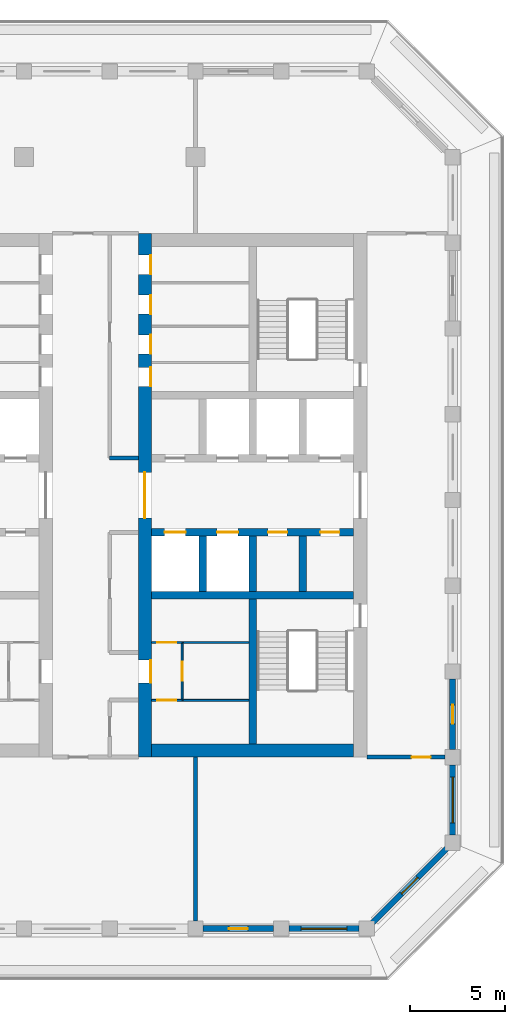
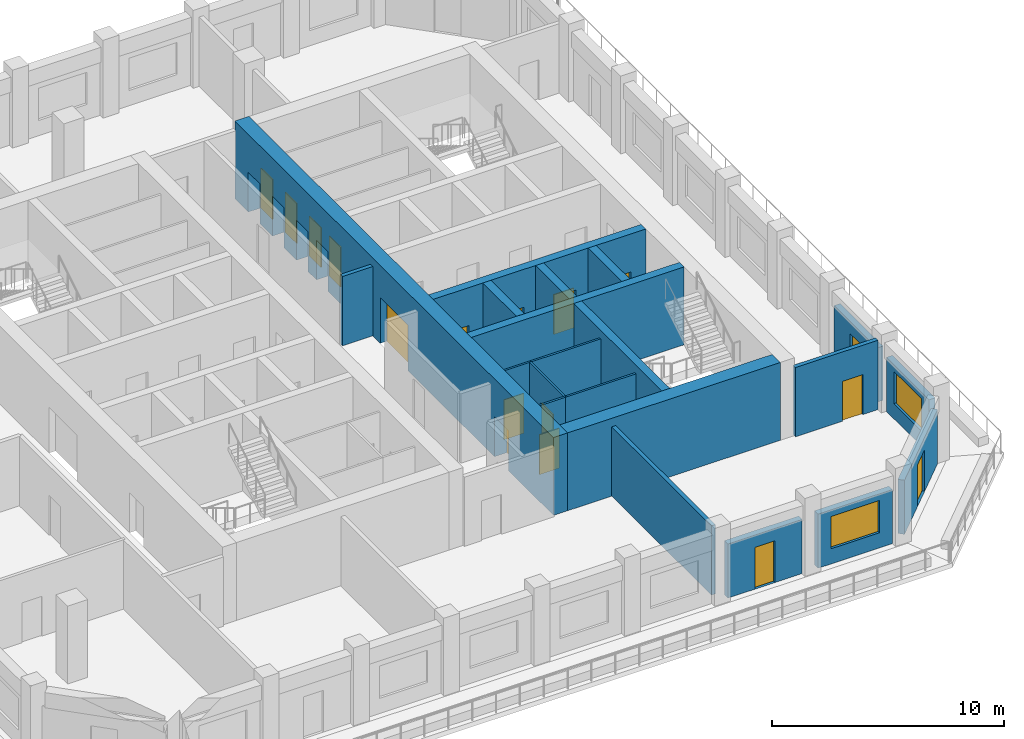
# One storey, part 4 of 14: 21 walls, 17 doors, 2 windows, 19 openings.
"""IFC4 building model written with IfcOpenShell, lengths in metres."""

from ifc_helpers import new_model, si_unit, direction, frame, frame_2d, origin, place, context, subcontext, project, spatial, rectangle, extrude, material, layer, layer_set, type_object, element, fill, save


model = new_model("IFC4")

# Units and contexts
model_context = context("Model", 3, precision=1e-05, world=origin(), true_north=direction((0.0, 1.0)))
body_context = subcontext(model_context, "Body", "Model", "MODEL_VIEW")
ifc_project = project(units=[si_unit("LENGTHUNIT", "METRE"), si_unit("AREAUNIT", "SQUARE_METRE"), si_unit("VOLUMEUNIT", "CUBIC_METRE"), si_unit("PLANEANGLEUNIT", "RADIAN"), si_unit("MASSUNIT", "GRAM", prefix="KILO")], contexts=[model_context])

# Site, building, storey
site_placement = place(None, origin())
site = spatial("IfcSite", under=ifc_project, at=site_placement, CompositionType="ELEMENT")
building_placement = place(site_placement, origin())
building = spatial("IfcBuilding", under=site, at=building_placement, Name="Corbel Stack Research Tower", CompositionType="ELEMENT")
storey_placement = place(building_placement, frame((0.0, 0.0, 270.39990234375)))
storey = spatial("IfcBuildingStorey", under=building, at=storey_placement, Name="L61", CompositionType="ELEMENT", Elevation=270.39990234375)

# Wall
ifc_material_1 = material(Name="Concrete C60/75", Category="concrete")
ifc_layer_1 = layer(ifc_material_1, 0.39990234375)
ifc_layer_set_1 = layer_set([ifc_layer_1], Name="Concrete C60/75")
wall_type_1 = type_object("IfcWallType", Name="CW-400-60", PredefinedType="SHEAR", material=ifc_layer_set_1)
wall_1_placement = place(storey_placement, frame((6.699951171875, -0.5, 0.0), z_axis=(0.0, 0.0, 1.0), x_axis=(1.0, 0.0, 0.0)))
element("IfcWall", 1, at=wall_1_placement, inside=storey, type_object=wall_type_1, Name="East core wall, south row back L61", PredefinedType="SHEAR", context=body_context, shape_type="SweptSolid", body=[
    extrude(rectangle(XDim=10.60009765625, YDim=0.39990234375, at=frame_2d((5.300048828125, 0.0))), origin(), (0.0, 0.0, 1.0), 4.10009765625),
])

# Wall, openings, doors
wall_2_placement = place(storey_placement, frame((6.699951171875, 2.800048828125, 0.0), z_axis=(0.0, 0.0, 1.0), x_axis=(1.0, 0.0, 0.0)))
wall_2 = element("IfcWall", 2, at=wall_2_placement, inside=storey, type_object=wall_type_1, Name="East core wall, lobby south L61", PredefinedType="SHEAR", context=body_context, shape_type="SweptSolid", body=[
    extrude(rectangle(XDim=10.60009765625, YDim=0.39990234375, at=frame_2d((5.300048828125, 0.0))), origin(), (0.0, 0.0, 1.0), 4.10009765625),
])
opening_1_placement = place(wall_2_placement, frame((0.6875, 0.0, 0.0)))
opening_1 = element("IfcOpeningElement", 3, at=opening_1_placement, cuts=wall_2, Name="Opening LD-FS2", PredefinedType="OPENING", context=body_context, shape_type="SweptSolid", body=[
    extrude(rectangle(XDim=1.10009765625, YDim=2.10009765625, at=frame_2d((0.550048828125, 1.050048828125))), frame((0.0, 0.2099609375, 0.0), z_axis=(0.0, -1.0, 0.0), x_axis=(1.0, 0.0, 0.0)), (0.0, 0.0, 1.0), 0.419921875),
])
opening_2_placement = place(wall_2_placement, frame((3.4375, 0.0, 0.0)))
opening_2 = element("IfcOpeningElement", 4, at=opening_2_placement, cuts=wall_2, Name="Opening LD-GL2", PredefinedType="OPENING", context=body_context, shape_type="SweptSolid", body=[
    extrude(rectangle(XDim=1.10009765625, YDim=2.10009765625, at=frame_2d((0.550048828125, 1.050048828125))), frame((0.0, 0.2099609375, 0.0), z_axis=(0.0, -1.0, 0.0), x_axis=(1.0, 0.0, 0.0)), (0.0, 0.0, 1.0), 0.419921875),
])
opening_3_placement = place(wall_2_placement, frame((6.112548828125, 0.0, 0.0)))
opening_3 = element("IfcOpeningElement", 5, at=opening_3_placement, cuts=wall_2, Name="Opening CR-E36-S3", PredefinedType="OPENING", context=body_context, shape_type="SweptSolid", body=[
    extrude(rectangle(XDim=1.0, YDim=2.10009765625, at=frame_2d((0.5, 1.050048828125))), frame((0.0, 0.2099609375, 0.0), z_axis=(0.0, -1.0, 0.0), x_axis=(1.0, 0.0, 0.0)), (0.0, 0.0, 1.0), 0.419921875),
])
opening_4_placement = place(wall_2_placement, frame((8.862548828125, 0.0, 0.0)))
opening_4 = element("IfcOpeningElement", 6, at=opening_4_placement, cuts=wall_2, Name="Opening CR-E36-S4", PredefinedType="OPENING", context=body_context, shape_type="SweptSolid", body=[
    extrude(rectangle(XDim=1.0, YDim=2.10009765625, at=frame_2d((0.5, 1.050048828125))), frame((0.0, 0.2099609375, 0.0), z_axis=(0.0, -1.0, 0.0), x_axis=(1.0, 0.0, 0.0)), (0.0, 0.0, 1.0), 0.419921875),
])
ifc_material_2 = material(Name="Stainless steel landing door", Category="steel")
door_type_1 = type_object("IfcDoorType", Name="Lift landing door 1100 x 2100", OperationType="DOUBLE_DOOR_SLIDING", PredefinedType="DOOR", material=ifc_material_2)
door_1_placement = place(opening_1_placement, origin())
door_1 = element("IfcDoor", 7, at=door_1_placement, inside=storey, type_object=door_type_1, Name="Landing door FS2", OperationType="DOUBLE_DOOR_SLIDING", OverallHeight=2.10009765625, OverallWidth=1.10009765625, PredefinedType="DOOR", context=body_context, shape_type="SweptSolid", body=[
    extrude(rectangle(XDim=1.10009765625, YDim=2.10009765625, at=frame_2d((0.550048828125, 1.050048828125))), frame((0.0, 0.02490234375, 0.0), z_axis=(0.0, -1.0, 0.0), x_axis=(1.0, 0.0, 0.0)), (0.0, 0.0, 1.0), 0.050048828125),
])
fill(opening_1, door_1)
door_2_placement = place(opening_2_placement, origin())
door_2 = element("IfcDoor", 8, at=door_2_placement, inside=storey, type_object=door_type_1, Name="Landing door GL2", OperationType="DOUBLE_DOOR_SLIDING", OverallHeight=2.10009765625, OverallWidth=1.10009765625, PredefinedType="DOOR", context=body_context, shape_type="SweptSolid", body=[
    extrude(rectangle(XDim=1.10009765625, YDim=2.10009765625, at=frame_2d((0.550048828125, 1.050048828125))), frame((0.0, 0.02490234375, 0.0), z_axis=(0.0, -1.0, 0.0), x_axis=(1.0, 0.0, 0.0)), (0.0, 0.0, 1.0), 0.050048828125),
])
fill(opening_2, door_2)
ifc_material_3 = material(Name="Painted steel door", Category="steel")
door_type_2 = type_object("IfcDoorType", Name="Service door 1000 x 2100 FD60 left hand", OperationType="SINGLE_SWING_LEFT", PredefinedType="DOOR", material=ifc_material_3)
door_3_placement = place(opening_3_placement, origin())
door_3 = element("IfcDoor", 9, at=door_3_placement, inside=storey, type_object=door_type_2, Name="Records store door E core", OperationType="SINGLE_SWING_LEFT", OverallHeight=2.10009765625, OverallWidth=1.0, PredefinedType="DOOR", context=body_context, shape_type="SweptSolid", body=[
    extrude(rectangle(XDim=1.0, YDim=2.10009765625, at=frame_2d((0.5, 1.050048828125))), frame((0.0, 0.02490234375, 0.0), z_axis=(0.0, -1.0, 0.0), x_axis=(1.0, 0.0, 0.0)), (0.0, 0.0, 1.0), 0.050048828125),
])
fill(opening_3, door_3)
ifc_material_4 = material(Name="Painted steel door", Category="steel")
door_type_3 = type_object("IfcDoorType", Name="Service door 1000 x 2100 FD60 right hand", OperationType="SINGLE_SWING_RIGHT", PredefinedType="DOOR", material=ifc_material_4)
door_4_placement = place(opening_4_placement, origin())
door_4 = element("IfcDoor", 10, at=door_4_placement, inside=storey, type_object=door_type_3, Name="Electrical room door E core", OperationType="SINGLE_SWING_RIGHT", OverallHeight=2.10009765625, OverallWidth=1.0, PredefinedType="DOOR", context=body_context, shape_type="SweptSolid", body=[
    extrude(rectangle(XDim=1.0, YDim=2.10009765625, at=frame_2d((0.5, 1.050048828125))), frame((0.0, 0.02490234375, 0.0), z_axis=(0.0, -1.0, 0.0), x_axis=(1.0, 0.0, 0.0)), (0.0, 0.0, 1.0), 0.050048828125),
])
fill(opening_4, door_4)

# Walls
for number, where, z_axis, x_axis, name in (
    (11, (9.375, -0.300048828125, 0.0), (0.0, 0.0, 1.0), (0.0, 1.0, 0.0), "East core wall, south shaft 1 L61"),
    (12, (12.0, -0.300048828125, 0.0), (0.0, 0.0, 1.0), (0.0, 1.0, 0.0), "East core wall, south shaft 2 L61"),
    (13, (14.625, -0.300048828125, 0.0), (0.0, 0.0, 1.0), (0.0, 1.0, 0.0), "East core wall, south shaft 3 L61"),
):
    element("IfcWall", number, at=place(storey_placement, frame(where, z_axis=z_axis, x_axis=x_axis)), inside=storey, type_object=wall_type_1, Name=name, PredefinedType="SHEAR", context=body_context, shape_type="SweptSolid", body=[
        extrude(rectangle(XDim=2.900146484375, YDim=0.39990234375, at=frame_2d((1.4501953125, 0.0))), origin(), (0.0, 0.0, 1.0), 4.10009765625),
    ])
wall_3_placement = place(storey_placement, frame((12.0, -8.300048828125, 0.0), z_axis=(0.0, 0.0, 1.0), x_axis=(0.0, 1.0, 0.0)))
element("IfcWall", 14, at=wall_3_placement, inside=storey, type_object=wall_type_1, Name="East core wall, south stair and WC L61", PredefinedType="SHEAR", context=body_context, shape_type="SweptSolid", body=[
    extrude(rectangle(XDim=7.60009765625, YDim=0.39990234375, at=frame_2d((3.800048828125, 0.0))), origin(), (0.0, 0.0, 1.0), 4.10009765625),
])

# Wall, openings, doors
ifc_material_5 = material(Name="Concrete C60/75", Category="concrete")
ifc_layer_2 = layer(ifc_material_5, 0.699951171875)
ifc_layer_set_2 = layer_set([ifc_layer_2], Name="Concrete C60/75")
wall_type_2 = type_object("IfcWallType", Name="CW-700-60", PredefinedType="SHEAR", material=ifc_layer_set_2)
wall_4_placement = place(storey_placement, frame((6.35009765625, -9.0, 0.0), z_axis=(0.0, 0.0, 1.0), x_axis=(0.0, 1.0, 0.0)))
wall_4 = element("IfcWall", 15, at=wall_4_placement, inside=storey, type_object=wall_type_2, Name="East core wall, west face L61", PredefinedType="SHEAR", context=body_context, shape_type="SweptSolid", body=[
    extrude(rectangle(XDim=27.5, YDim=0.699951171875, at=frame_2d((13.75, 0.0))), origin(), (0.0, 0.0, 1.0), 4.10009765625),
])
opening_5_placement = place(wall_4_placement, frame((12.550048828125, 0.0, 0.0)))
opening_5 = element("IfcOpeningElement", 16, at=opening_5_placement, cuts=wall_4, Name="Opening CD-E-W", PredefinedType="OPENING", context=body_context, shape_type="SweptSolid", body=[
    extrude(rectangle(XDim=2.39990234375, YDim=2.39990234375, at=frame_2d((1.199951171875, 1.199951171875))), frame((0.0, 0.35986328125, 0.0), z_axis=(0.0, -1.0, 0.0), x_axis=(1.0, 0.0, 0.0)), (0.0, 0.0, 1.0), 0.719970703125),
])
opening_6_placement = place(wall_4_placement, frame((3.89990234375, 0.0, 0.0)))
opening_6 = element("IfcOpeningElement", 17, at=opening_6_placement, cuts=wall_4, Name="Opening CR-E36-W1-1200", PredefinedType="OPENING", context=body_context, shape_type="SweptSolid", body=[
    extrude(rectangle(XDim=1.199951171875, YDim=2.10009765625, at=frame_2d((0.60009765625, 1.050048828125))), frame((0.0, 0.35986328125, 0.0), z_axis=(0.0, -1.0, 0.0), x_axis=(1.0, 0.0, 0.0)), (0.0, 0.0, 1.0), 0.719970703125),
])
opening_7_placement = place(wall_4_placement, frame((19.4599609375, 0.0, 0.0)))
opening_7 = element("IfcOpeningElement", 18, at=opening_7_placement, cuts=wall_4, Name="Opening CR-E36-R1-1000", PredefinedType="OPENING", context=body_context, shape_type="SweptSolid", body=[
    extrude(rectangle(XDim=1.0, YDim=2.10009765625, at=frame_2d((0.5, 1.050048828125))), frame((0.0, 0.35986328125, 0.0), z_axis=(0.0, -1.0, 0.0), x_axis=(1.0, 0.0, 0.0)), (0.0, 0.0, 1.0), 0.719970703125),
])
opening_8_placement = place(wall_4_placement, frame((21.169921875, 0.0, 0.0)))
opening_8 = element("IfcOpeningElement", 19, at=opening_8_placement, cuts=wall_4, Name="Opening CR-E36-R2-1000", PredefinedType="OPENING", context=body_context, shape_type="SweptSolid", body=[
    extrude(rectangle(XDim=1.0, YDim=2.10009765625, at=frame_2d((0.5, 1.050048828125))), frame((0.0, 0.35986328125, 0.0), z_axis=(0.0, -1.0, 0.0), x_axis=(1.0, 0.0, 0.0)), (0.0, 0.0, 1.0), 0.719970703125),
])
opening_9_placement = place(wall_4_placement, frame((23.260009765625, 0.0, 0.0)))
opening_9 = element("IfcOpeningElement", 20, at=opening_9_placement, cuts=wall_4, Name="Opening CR-E36-R3-1000", PredefinedType="OPENING", context=body_context, shape_type="SweptSolid", body=[
    extrude(rectangle(XDim=1.0, YDim=2.10009765625, at=frame_2d((0.5, 1.050048828125))), frame((0.0, 0.35986328125, 0.0), z_axis=(0.0, -1.0, 0.0), x_axis=(1.0, 0.0, 0.0)), (0.0, 0.0, 1.0), 0.719970703125),
])
opening_10_placement = place(wall_4_placement, frame((25.35009765625, 0.0, 0.0)))
opening_10 = element("IfcOpeningElement", 21, at=opening_10_placement, cuts=wall_4, Name="Opening CR-E36-R4-1000", PredefinedType="OPENING", context=body_context, shape_type="SweptSolid", body=[
    extrude(rectangle(XDim=1.0, YDim=2.10009765625, at=frame_2d((0.5, 1.050048828125))), frame((0.0, 0.35986328125, 0.0), z_axis=(0.0, -1.0, 0.0), x_axis=(1.0, 0.0, 0.0)), (0.0, 0.0, 1.0), 0.719970703125),
])
ifc_material_6 = material(Name="Painted steel fire door", Category="steel")
door_type_4 = type_object("IfcDoorType", Name="Lobby door pair 2400 x 2400 FD30S", OperationType="DOUBLE_DOOR_DOUBLE_SWING", PredefinedType="DOOR", material=ifc_material_6)
door_5_placement = place(opening_5_placement, origin())
door_5 = element("IfcDoor", 22, at=door_5_placement, inside=storey, type_object=door_type_4, Name="Lift lobby door E core W", OperationType="DOUBLE_DOOR_DOUBLE_SWING", OverallHeight=2.39990234375, OverallWidth=2.39990234375, PredefinedType="DOOR", context=body_context, shape_type="SweptSolid", body=[
    extrude(rectangle(XDim=2.39990234375, YDim=2.39990234375, at=frame_2d((1.199951171875, 1.199951171875))), frame((0.0, 0.02490234375, 0.0), z_axis=(0.0, -1.0, 0.0), x_axis=(1.0, 0.0, 0.0)), (0.0, 0.0, 1.0), 0.050048828125),
])
fill(opening_5, door_5)
ifc_material_7 = material(Name="Painted steel door", Category="steel")
door_type_5 = type_object("IfcDoorType", Name="Riser door 1000 x 2100 FD60 left hand", OperationType="SINGLE_SWING_LEFT", PredefinedType="DOOR", material=ifc_material_7)
door_6_placement = place(opening_8_placement, origin())
door_6 = element("IfcDoor", 23, at=door_6_placement, inside=storey, type_object=door_type_5, Name="Telecom room door E core", OperationType="SINGLE_SWING_LEFT", OverallHeight=2.10009765625, OverallWidth=1.0, PredefinedType="DOOR", context=body_context, shape_type="SweptSolid", body=[
    extrude(rectangle(XDim=1.0, YDim=2.10009765625, at=frame_2d((0.5, 1.050048828125))), frame((0.0, -0.27490234375, 0.0), z_axis=(0.0, -1.0, 0.0), x_axis=(1.0, 0.0, 0.0)), (0.0, 0.0, 1.0), 0.050048828125),
])
fill(opening_8, door_6)
ifc_material_8 = material(Name="Painted steel door", Category="steel")
door_type_6 = type_object("IfcDoorType", Name="Riser door 1000 x 2100 FD60 right hand", OperationType="SINGLE_SWING_RIGHT", PredefinedType="DOOR", material=ifc_material_8)
door_7_placement = place(opening_7_placement, origin())
door_7 = element("IfcDoor", 24, at=door_7_placement, inside=storey, type_object=door_type_6, Name="Electrical riser door E core", OperationType="SINGLE_SWING_RIGHT", OverallHeight=2.10009765625, OverallWidth=1.0, PredefinedType="DOOR", context=body_context, shape_type="SweptSolid", body=[
    extrude(rectangle(XDim=1.0, YDim=2.10009765625, at=frame_2d((0.5, 1.050048828125))), frame((0.0, -0.27490234375, 0.0), z_axis=(0.0, -1.0, 0.0), x_axis=(1.0, 0.0, 0.0)), (0.0, 0.0, 1.0), 0.050048828125),
])
fill(opening_7, door_7)
ifc_material_9 = material(Name="Painted steel door", Category="steel")
door_type_7 = type_object("IfcDoorType", Name="Service door 1000 x 2100 FD30 left hand", OperationType="SINGLE_SWING_LEFT", PredefinedType="DOOR", material=ifc_material_9)
door_8_placement = place(opening_10_placement, origin())
door_8 = element("IfcDoor", 25, at=door_8_placement, inside=storey, type_object=door_type_7, Name="Cleaner's store door E core", OperationType="SINGLE_SWING_LEFT", OverallHeight=2.10009765625, OverallWidth=1.0, PredefinedType="DOOR", context=body_context, shape_type="SweptSolid", body=[
    extrude(rectangle(XDim=1.0, YDim=2.10009765625, at=frame_2d((0.5, 1.050048828125))), frame((0.0, -0.27490234375, 0.0), z_axis=(0.0, -1.0, 0.0), x_axis=(1.0, 0.0, 0.0)), (0.0, 0.0, 1.0), 0.050048828125),
])
fill(opening_10, door_8)
ifc_material_10 = material(Name="Painted steel door", Category="steel")
door_type_8 = type_object("IfcDoorType", Name="Service door 1000 x 2100 FD30 right hand", OperationType="SINGLE_SWING_RIGHT", PredefinedType="DOOR", material=ifc_material_10)
door_9_placement = place(opening_9_placement, origin())
door_9 = element("IfcDoor", 26, at=door_9_placement, inside=storey, type_object=door_type_8, Name="Pantry door E core", OperationType="SINGLE_SWING_RIGHT", OverallHeight=2.10009765625, OverallWidth=1.0, PredefinedType="DOOR", context=body_context, shape_type="SweptSolid", body=[
    extrude(rectangle(XDim=1.0, YDim=2.10009765625, at=frame_2d((0.5, 1.050048828125))), frame((0.0, -0.27490234375, 0.0), z_axis=(0.0, -1.0, 0.0), x_axis=(1.0, 0.0, 0.0)), (0.0, 0.0, 1.0), 0.050048828125),
])
fill(opening_9, door_9)
ifc_material_11 = material(Name="Painted timber door", Category="wood")
door_type_9 = type_object("IfcDoorType", Name="WC door 1200 x 2100 right hand", OperationType="SINGLE_SWING_RIGHT", PredefinedType="DOOR", material=ifc_material_11)
door_10_placement = place(opening_6_placement, origin())
door_10 = element("IfcDoor", 27, at=door_10_placement, inside=storey, type_object=door_type_9, Name="WC lobby door E core", OperationType="SINGLE_SWING_RIGHT", OverallHeight=2.10009765625, OverallWidth=1.199951171875, PredefinedType="DOOR", context=body_context, shape_type="SweptSolid", body=[
    extrude(rectangle(XDim=1.199951171875, YDim=2.10009765625, at=frame_2d((0.60009765625, 1.050048828125))), frame((0.0, -0.27490234375, 0.0), z_axis=(0.0, -1.0, 0.0), x_axis=(1.0, 0.0, 0.0)), (0.0, 0.0, 1.0), 0.050048828125),
])
fill(opening_6, door_10)

# Wall
wall_5_placement = place(storey_placement, frame((6.699951171875, -8.64990234375, 0.0), z_axis=(0.0, 0.0, 1.0), x_axis=(1.0, 0.0, 0.0)))
element("IfcWall", 28, at=wall_5_placement, inside=storey, type_object=wall_type_2, Name="East core wall, south end L61", PredefinedType="SHEAR", context=body_context, shape_type="SweptSolid", body=[
    extrude(rectangle(XDim=10.60009765625, YDim=0.699951171875, at=frame_2d((5.300048828125, 0.0))), origin(), (0.0, 0.0, 1.0), 4.10009765625),
])

# Wall, opening, door
ifc_material_12 = material(Name="Gypsum board")
ifc_layer_3 = layer(ifc_material_12, 0.10009765625)
ifc_layer_set_3 = layer_set([ifc_layer_3], Name="Gypsum board")
wall_type_3 = type_object("IfcWallType", Name="Core partition 100", PredefinedType="PARTITIONING", material=ifc_layer_set_3)
wall_6_placement = place(storey_placement, frame((6.699951171875, -6.02001953125, 0.0), z_axis=(0.0, 0.0, 1.0), x_axis=(1.0, 0.0, 0.0)))
wall_6 = element("IfcWall", 29, at=wall_6_placement, inside=storey, type_object=wall_type_3, Name="Core partition E", PredefinedType="PARTITIONING", context=body_context, shape_type="SweptSolid", body=[
    extrude(rectangle(XDim=1.60009765625, YDim=0.10009765625, at=frame_2d((0.800048828125, 0.0))), origin(), (0.0, 0.0, 1.0), 3.650146484375),
])
opening_11_placement = place(wall_6_placement, frame((0.300048828125, 0.0, 0.0)))
opening_11 = element("IfcOpeningElement", 30, at=opening_11_placement, cuts=wall_6, Name="Opening CR-E36-W2-1000", PredefinedType="OPENING", context=body_context, shape_type="SweptSolid", body=[
    extrude(rectangle(XDim=1.0, YDim=2.10009765625, at=frame_2d((0.5, 1.050048828125))), frame((0.0, 0.06005859375, 0.0), z_axis=(0.0, -1.0, 0.0), x_axis=(1.0, 0.0, 0.0)), (0.0, 0.0, 1.0), 0.1201171875),
])
ifc_material_13 = material(Name="Painted timber door", Category="wood")
door_type_10 = type_object("IfcDoorType", Name="WC door 1000 x 2100 left hand", OperationType="SINGLE_SWING_LEFT", PredefinedType="DOOR", material=ifc_material_13)
door_11_placement = place(opening_11_placement, origin())
door_11 = element("IfcDoor", 31, at=door_11_placement, inside=storey, type_object=door_type_10, Name="Men's WC door E core", OperationType="SINGLE_SWING_LEFT", OverallHeight=2.10009765625, OverallWidth=1.0, PredefinedType="DOOR", context=body_context, shape_type="SweptSolid", body=[
    extrude(rectangle(XDim=1.0, YDim=2.10009765625, at=frame_2d((0.5, 1.050048828125))), frame((0.0, 0.02490234375, 0.0), z_axis=(0.0, -1.0, 0.0), x_axis=(1.0, 0.0, 0.0)), (0.0, 0.0, 1.0), 0.050048828125),
])
fill(opening_11, door_11)

wall_7_placement = place(storey_placement, frame((6.699951171875, -2.97998046875, 0.0), z_axis=(0.0, 0.0, 1.0), x_axis=(1.0, 0.0, 0.0)))
wall_7 = element("IfcWall", 32, at=wall_7_placement, inside=storey, type_object=wall_type_3, Name="Core partition E", PredefinedType="PARTITIONING", context=body_context, shape_type="SweptSolid", body=[
    extrude(rectangle(XDim=1.60009765625, YDim=0.10009765625, at=frame_2d((0.800048828125, 0.0))), origin(), (0.0, 0.0, 1.0), 3.650146484375),
])
opening_12_placement = place(wall_7_placement, frame((0.300048828125, 0.0, 0.0)))
opening_12 = element("IfcOpeningElement", 33, at=opening_12_placement, cuts=wall_7, Name="Opening CR-E36-W3-1000", PredefinedType="OPENING", context=body_context, shape_type="SweptSolid", body=[
    extrude(rectangle(XDim=1.0, YDim=2.10009765625, at=frame_2d((0.5, 1.050048828125))), frame((0.0, 0.06005859375, 0.0), z_axis=(0.0, -1.0, 0.0), x_axis=(1.0, 0.0, 0.0)), (0.0, 0.0, 1.0), 0.1201171875),
])
ifc_material_14 = material(Name="Painted timber door", Category="wood")
door_type_11 = type_object("IfcDoorType", Name="WC door 1000 x 2100 right hand", OperationType="SINGLE_SWING_RIGHT", PredefinedType="DOOR", material=ifc_material_14)
door_12_placement = place(opening_12_placement, origin())
door_12 = element("IfcDoor", 34, at=door_12_placement, inside=storey, type_object=door_type_11, Name="Women's WC door E core", OperationType="SINGLE_SWING_RIGHT", OverallHeight=2.10009765625, OverallWidth=1.0, PredefinedType="DOOR", context=body_context, shape_type="SweptSolid", body=[
    extrude(rectangle(XDim=1.0, YDim=2.10009765625, at=frame_2d((0.5, 1.050048828125))), frame((0.0, 0.02490234375, 0.0), z_axis=(0.0, -1.0, 0.0), x_axis=(1.0, 0.0, 0.0)), (0.0, 0.0, 1.0), 0.050048828125),
])
fill(opening_12, door_12)

wall_8_placement = place(storey_placement, frame((8.300048828125, -6.02001953125, 0.0), z_axis=(0.0, 0.0, 1.0), x_axis=(0.0, 1.0, 0.0)))
wall_8 = element("IfcWall", 35, at=wall_8_placement, inside=storey, type_object=wall_type_3, Name="Core partition E", PredefinedType="PARTITIONING", context=body_context, shape_type="SweptSolid", body=[
    extrude(rectangle(XDim=3.0400390625, YDim=0.10009765625, at=frame_2d((1.52001953125, 0.0))), origin(), (0.0, 0.0, 1.0), 3.650146484375),
])
opening_13_placement = place(wall_8_placement, frame((1.02001953125, 0.0, 0.0)))
opening_13 = element("IfcOpeningElement", 36, at=opening_13_placement, cuts=wall_8, Name="Opening CR-E36-W4-1000", PredefinedType="OPENING", context=body_context, shape_type="SweptSolid", body=[
    extrude(rectangle(XDim=1.0, YDim=2.10009765625, at=frame_2d((0.5, 1.050048828125))), frame((0.0, 0.06005859375, 0.0), z_axis=(0.0, -1.0, 0.0), x_axis=(1.0, 0.0, 0.0)), (0.0, 0.0, 1.0), 0.1201171875),
])
door_13_placement = place(opening_13_placement, origin())
door_13 = element("IfcDoor", 37, at=door_13_placement, inside=storey, type_object=door_type_10, Name="Accessible WC door E core", OperationType="SINGLE_SWING_LEFT", OverallHeight=2.10009765625, OverallWidth=1.0, PredefinedType="DOOR", context=body_context, shape_type="SweptSolid", body=[
    extrude(rectangle(XDim=1.0, YDim=2.10009765625, at=frame_2d((0.5, 1.050048828125))), frame((0.0, 0.02490234375, 0.0), z_axis=(0.0, -1.0, 0.0), x_axis=(1.0, 0.0, 0.0)), (0.0, 0.0, 1.0), 0.050048828125),
])
fill(opening_13, door_13)

# Walls
for number, where, z_axis, x_axis, name in (
    (38, (8.300048828125, -6.02001953125, 0.0), (0.0, 0.0, 1.0), (1.0, 0.0, 0.0), "Core partition E"),
    (39, (8.300048828125, -2.97998046875, 0.0), (0.0, 0.0, 1.0), (1.0, 0.0, 0.0), "Core partition E"),
):
    element("IfcWall", number, at=place(storey_placement, frame(where, z_axis=z_axis, x_axis=x_axis)), inside=storey, type_object=wall_type_3, Name=name, PredefinedType="PARTITIONING", context=body_context, shape_type="SweptSolid", body=[
        extrude(rectangle(XDim=3.5, YDim=0.10009765625, at=frame_2d((1.75, 0.0))), origin(), (0.0, 0.0, 1.0), 3.650146484375),
    ])
ifc_material_15 = material(Name="Fire-rated gypsum board partition on steel studs", Category="steel")
ifc_layer_4 = layer(ifc_material_15, 0.199951171875)
ifc_layer_set_4 = layer_set([ifc_layer_4], Name="Fire-rated gypsum board partition on steel studs")
wall_type_4 = type_object("IfcWallType", Name="Fire-rated partition 200 EI 60", PredefinedType="PARTITIONING", material=ifc_layer_set_4)
wall_9_placement = place(storey_placement, frame((9.0, -17.60009765625, 0.0), z_axis=(0.0, 0.0, 1.0), x_axis=(0.0, 1.0, 0.0)))
element("IfcWall", 40, at=wall_9_placement, inside=storey, type_object=wall_type_4, Name="Partition L61-008", PredefinedType="PARTITIONING", context=body_context, shape_type="SweptSolid", body=[
    extrude(rectangle(XDim=8.60009765625, YDim=0.199951171875, at=frame_2d((4.300048828125, 0.0))), origin(), (0.0, 0.0, 1.0), 3.650146484375),
])

# Wall, opening, door
wall_10_placement = place(storey_placement, frame((22.10009765625, -9.0, 0.0), z_axis=(0.0, 0.0, 1.0), x_axis=(-1.0, 0.0, 0.0)))
wall_10 = element("IfcWall", 41, at=wall_10_placement, inside=storey, type_object=wall_type_4, Name="Partition L61-013", PredefinedType="PARTITIONING", context=body_context, shape_type="SweptSolid", body=[
    extrude(rectangle(XDim=4.10009765625, YDim=0.199951171875, at=frame_2d((2.050048828125, 0.0))), origin(), (0.0, 0.0, 1.0), 3.650146484375),
])
opening_14_placement = place(wall_10_placement, frame((0.75, 0.0, 0.0)))
opening_14 = element("IfcOpeningElement", 42, at=opening_14_placement, cuts=wall_10, Name="Opening B8V1-005", PredefinedType="OPENING", context=body_context, shape_type="SweptSolid", body=[
    extrude(rectangle(XDim=1.0, YDim=2.10009765625, at=frame_2d((0.5, 1.050048828125))), frame((0.0, 0.10986328125, 0.0), z_axis=(0.0, -1.0, 0.0), x_axis=(1.0, 0.0, 0.0)), (0.0, 0.0, 1.0), 0.219970703125),
])
ifc_material_16 = material(Name="Painted steel fire door", Category="steel")
door_type_12 = type_object("IfcDoorType", Name="Fire door FD30S 1000 x 2100", OperationType="NOTDEFINED", PredefinedType="DOOR", material=ifc_material_16)
door_14_placement = place(opening_14_placement, origin())
door_14 = element("IfcDoor", 43, at=door_14_placement, inside=storey, type_object=door_type_12, Name="Door B8V1-005", OperationType="SINGLE_SWING_LEFT", OverallHeight=2.10009765625, OverallWidth=1.0, PredefinedType="DOOR", context=body_context, shape_type="SweptSolid", body=[
    extrude(rectangle(XDim=1.0, YDim=2.10009765625, at=frame_2d((0.5, 1.050048828125))), frame((0.0, 0.02490234375, 0.0), z_axis=(0.0, -1.0, 0.0), x_axis=(1.0, 0.0, 0.0)), (0.0, 0.0, 1.0), 0.050048828125),
])
fill(opening_14, door_14)

# Wall
wall_11_placement = place(storey_placement, frame((4.5, 6.699951171875, 0.0), z_axis=(0.0, 0.0, 1.0), x_axis=(1.0, 0.0, 0.0)))
element("IfcWall", 44, at=wall_11_placement, inside=storey, type_object=wall_type_4, Name="Partition L61-020", PredefinedType="PARTITIONING", context=body_context, shape_type="SweptSolid", body=[
    extrude(rectangle(XDim=1.5, YDim=0.199951171875, at=frame_2d((0.75, 0.0))), origin(), (0.0, 0.0, 1.0), 3.650146484375),
])

# Wall, opening, door
ifc_material_17 = material(Name="Concrete C45/55", Category="concrete")
ifc_layer_5 = layer(ifc_material_17, 0.300048828125)
ifc_layer_set_5 = layer_set([ifc_layer_5], Name="Concrete C45/55")
wall_type_5 = type_object("IfcWallType", Name="Terracotta-faced concrete wall 300", PredefinedType="SOLIDWALL", material=ifc_layer_set_5)
wall_12_placement = place(storey_placement, frame((13.10009765625, -18.0, 0.0), z_axis=(0.0, 0.0, 1.0), x_axis=(-1.0, 0.0, 0.0)))
wall_12 = element("IfcWall", 45, at=wall_12_placement, inside=storey, type_object=wall_type_5, Name="Facade wall L61 S07", PredefinedType="SOLIDWALL", context=body_context, shape_type="SweptSolid", body=[
    extrude(rectangle(XDim=3.7001953125, YDim=0.300048828125, at=frame_2d((1.85009765625, 0.0))), origin(), (0.0, 0.0, 1.0), 2.85009765625),
])
opening_15_placement = place(wall_12_placement, frame((1.35009765625, 0.0, 0.0)))
opening_15 = element("IfcOpeningElement", 46, at=opening_15_placement, cuts=wall_12, Name="Opening L61-B02", PredefinedType="OPENING", context=body_context, shape_type="SweptSolid", body=[
    extrude(rectangle(XDim=1.0, YDim=2.199951171875, at=frame_2d((0.5, 1.10009765625))), frame((0.0, 0.159912109375, 0.0), z_axis=(0.0, -1.0, 0.0), x_axis=(1.0, 0.0, 0.0)), (0.0, 0.0, 1.0), 0.320068359375),
])
ifc_material_18 = material(Name="Aluminium frame, clear double glazing", Category="aluminium")
door_type_13 = type_object("IfcDoorType", Name="Balcony door BD1 1000 x 2200", OperationType="NOTDEFINED", PredefinedType="DOOR", material=ifc_material_18)
door_15_placement = place(opening_15_placement, origin())
door_15 = element("IfcDoor", 47, at=door_15_placement, inside=storey, type_object=door_type_13, Name="Balcony door L61-B02", OperationType="SINGLE_SWING_RIGHT", OverallHeight=2.199951171875, OverallWidth=1.0, PredefinedType="DOOR", context=body_context, shape_type="SweptSolid", body=[
    extrude(rectangle(XDim=1.0, YDim=2.199951171875, at=frame_2d((0.5, 1.10009765625))), frame((0.0, 0.02490234375, 0.0), z_axis=(0.0, -1.0, 0.0), x_axis=(1.0, 0.0, 0.0)), (0.0, 0.0, 1.0), 0.050048828125),
])
fill(opening_15, door_15)

# Wall, opening, window
wall_13_placement = place(storey_placement, frame((17.60009765625, -18.0, 0.0), z_axis=(0.0, 0.0, 1.0), x_axis=(-1.0, 0.0, 0.0)))
wall_13 = element("IfcWall", 48, at=wall_13_placement, inside=storey, type_object=wall_type_5, Name="Facade wall L61 S08", PredefinedType="SOLIDWALL", context=body_context, shape_type="SweptSolid", body=[
    extrude(rectangle(XDim=3.7001953125, YDim=0.300048828125, at=frame_2d((1.85009765625, 0.0))), origin(), (0.0, 0.0, 1.0), 2.85009765625),
])
opening_16_placement = place(wall_13_placement, frame((0.64990234375, 0.0, 0.800048828125)))
opening_16 = element("IfcOpeningElement", 49, at=opening_16_placement, cuts=wall_13, Name="Opening W1", PredefinedType="OPENING", context=body_context, shape_type="SweptSolid", body=[
    extrude(rectangle(XDim=2.39990234375, YDim=1.699951171875, at=frame_2d((1.199951171875, 0.85009765625))), frame((0.0, 0.159912109375, 0.0), z_axis=(0.0, -1.0, 0.0), x_axis=(1.0, 0.0, 0.0)), (0.0, 0.0, 1.0), 0.320068359375),
])
ifc_material_19 = material(Name="Aluminium frame, clear double glazing", Category="aluminium")
window_type = type_object("IfcWindowType", Name="Window W1 2400 x 1700", PartitioningType="SINGLE_PANEL", PredefinedType="WINDOW", material=ifc_material_19)
window_1_placement = place(opening_16_placement, origin())
window_1 = element("IfcWindow", 50, at=window_1_placement, inside=storey, type_object=window_type, Name="Window W1 L61 S08", OverallHeight=1.699951171875, OverallWidth=2.39990234375, PartitioningType="SINGLE_PANEL", PredefinedType="WINDOW", context=body_context, shape_type="SweptSolid", body=[
    extrude(rectangle(XDim=2.39990234375, YDim=1.699951171875, at=frame_2d((1.199951171875, 0.85009765625))), frame((0.0, 0.030029296875, 0.0), z_axis=(0.0, -1.0, 0.0), x_axis=(1.0, 0.0, 0.0)), (0.0, 0.0, 1.0), 0.06005859375),
])
fill(opening_16, window_1)

# Wall, opening, door
wall_14_placement = place(storey_placement, frame((22.2060546875, -13.7939453125, 0.0), z_axis=(0.0, 0.0, 1.0), x_axis=(-0.707106781187, -0.707106781187, 0.0)))
wall_14 = element("IfcWall", 51, at=wall_14_placement, inside=storey, type_object=wall_type_5, Name="Facade wall L61 SE01", PredefinedType="SOLIDWALL", context=body_context, shape_type="SweptSolid", body=[
    extrude(rectangle(XDim=5.532470703125, YDim=0.300048828125, at=frame_2d((2.76611328125, 0.0))), origin(), (0.0, 0.0, 1.0), 2.85009765625),
])
opening_17_placement = place(wall_14_placement, frame((2.166259765625, 0.0, 0.0)))
opening_17 = element("IfcOpeningElement", 52, at=opening_17_placement, cuts=wall_14, Name="Opening L61-B03", PredefinedType="OPENING", context=body_context, shape_type="SweptSolid", body=[
    extrude(rectangle(XDim=1.199951171875, YDim=2.199951171875, at=frame_2d((0.60009765625, 1.10009765625))), frame((0.0, 0.159912109375, 0.0), z_axis=(0.0, -1.0, 0.0), x_axis=(1.0, 0.0, 0.0)), (0.0, 0.0, 1.0), 0.320068359375),
])
ifc_material_20 = material(Name="Aluminium frame, clear double glazing", Category="aluminium")
door_type_14 = type_object("IfcDoorType", Name="Balcony door BD2 1200 x 2200", OperationType="NOTDEFINED", PredefinedType="DOOR", material=ifc_material_20)
door_16_placement = place(opening_17_placement, origin())
door_16 = element("IfcDoor", 53, at=door_16_placement, inside=storey, type_object=door_type_14, Name="Balcony door L61-B03", OperationType="SINGLE_SWING_RIGHT", OverallHeight=2.199951171875, OverallWidth=1.199951171875, PredefinedType="DOOR", context=body_context, shape_type="SweptSolid", body=[
    extrude(rectangle(XDim=1.199951171875, YDim=2.199951171875, at=frame_2d((0.60009765625, 1.10009765625))), frame((0.0, 0.02490234375, 0.0), z_axis=(0.0, -1.0, 0.0), x_axis=(1.0, 0.0, 0.0)), (0.0, 0.0, 1.0), 0.050048828125),
])
fill(opening_17, door_16)

# Wall, opening, window
wall_15_placement = place(storey_placement, frame((22.5, -9.39990234375, 0.0), z_axis=(0.0, 0.0, 1.0), x_axis=(0.0, -1.0, 0.0)))
wall_15 = element("IfcWall", 54, at=wall_15_placement, inside=storey, type_object=wall_type_5, Name="Facade wall L61 E01", PredefinedType="SOLIDWALL", context=body_context, shape_type="SweptSolid", body=[
    extrude(rectangle(XDim=3.7001953125, YDim=0.300048828125, at=frame_2d((1.85009765625, 0.0))), origin(), (0.0, 0.0, 1.0), 2.85009765625),
])
opening_18_placement = place(wall_15_placement, frame((0.64990234375, 0.0, 0.800048828125)))
opening_18 = element("IfcOpeningElement", 55, at=opening_18_placement, cuts=wall_15, Name="Opening W1", PredefinedType="OPENING", context=body_context, shape_type="SweptSolid", body=[
    extrude(rectangle(XDim=2.39990234375, YDim=1.699951171875, at=frame_2d((1.199951171875, 0.85009765625))), frame((0.0, 0.159912109375, 0.0), z_axis=(0.0, -1.0, 0.0), x_axis=(1.0, 0.0, 0.0)), (0.0, 0.0, 1.0), 0.320068359375),
])
window_2_placement = place(opening_18_placement, origin())
window_2 = element("IfcWindow", 56, at=window_2_placement, inside=storey, type_object=window_type, Name="Window W1 L61 E01", OverallHeight=1.699951171875, OverallWidth=2.39990234375, PartitioningType="SINGLE_PANEL", PredefinedType="WINDOW", context=body_context, shape_type="SweptSolid", body=[
    extrude(rectangle(XDim=2.39990234375, YDim=1.699951171875, at=frame_2d((1.199951171875, 0.85009765625))), frame((0.0, 0.030029296875, 0.0), z_axis=(0.0, -1.0, 0.0), x_axis=(1.0, 0.0, 0.0)), (0.0, 0.0, 1.0), 0.06005859375),
])
fill(opening_18, window_2)

# Wall, opening, door
wall_16_placement = place(storey_placement, frame((22.5, -4.89990234375, 0.0), z_axis=(0.0, 0.0, 1.0), x_axis=(0.0, -1.0, 0.0)))
wall_16 = element("IfcWall", 57, at=wall_16_placement, inside=storey, type_object=wall_type_5, Name="Facade wall L61 E02", PredefinedType="SOLIDWALL", context=body_context, shape_type="SweptSolid", body=[
    extrude(rectangle(XDim=3.7001953125, YDim=0.300048828125, at=frame_2d((1.85009765625, 0.0))), origin(), (0.0, 0.0, 1.0), 2.85009765625),
])
opening_19_placement = place(wall_16_placement, frame((1.35009765625, 0.0, 0.0)))
opening_19 = element("IfcOpeningElement", 58, at=opening_19_placement, cuts=wall_16, Name="Opening L61-B04", PredefinedType="OPENING", context=body_context, shape_type="SweptSolid", body=[
    extrude(rectangle(XDim=1.0, YDim=2.199951171875, at=frame_2d((0.5, 1.10009765625))), frame((0.0, 0.159912109375, 0.0), z_axis=(0.0, -1.0, 0.0), x_axis=(1.0, 0.0, 0.0)), (0.0, 0.0, 1.0), 0.320068359375),
])
door_17_placement = place(opening_19_placement, origin())
door_17 = element("IfcDoor", 59, at=door_17_placement, inside=storey, type_object=door_type_13, Name="Balcony door L61-B04", OperationType="SINGLE_SWING_LEFT", OverallHeight=2.199951171875, OverallWidth=1.0, PredefinedType="DOOR", context=body_context, shape_type="SweptSolid", body=[
    extrude(rectangle(XDim=1.0, YDim=2.199951171875, at=frame_2d((0.5, 1.10009765625))), frame((0.0, 0.02490234375, 0.0), z_axis=(0.0, -1.0, 0.0), x_axis=(1.0, 0.0, 0.0)), (0.0, 0.0, 1.0), 0.050048828125),
])
fill(opening_19, door_17)

save(model, "model.ifc")
